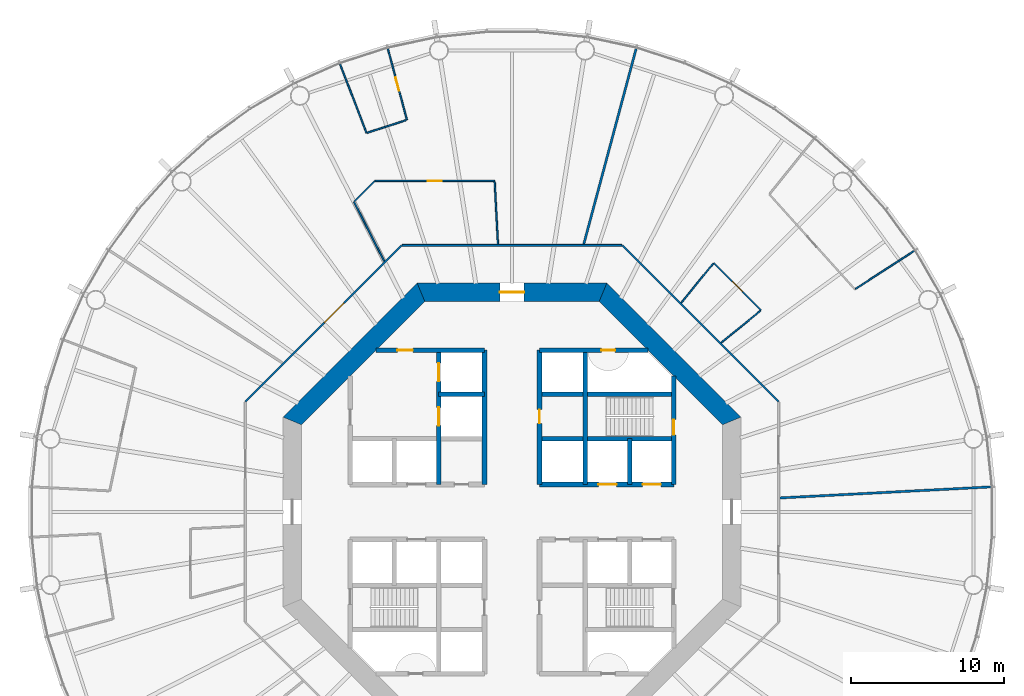
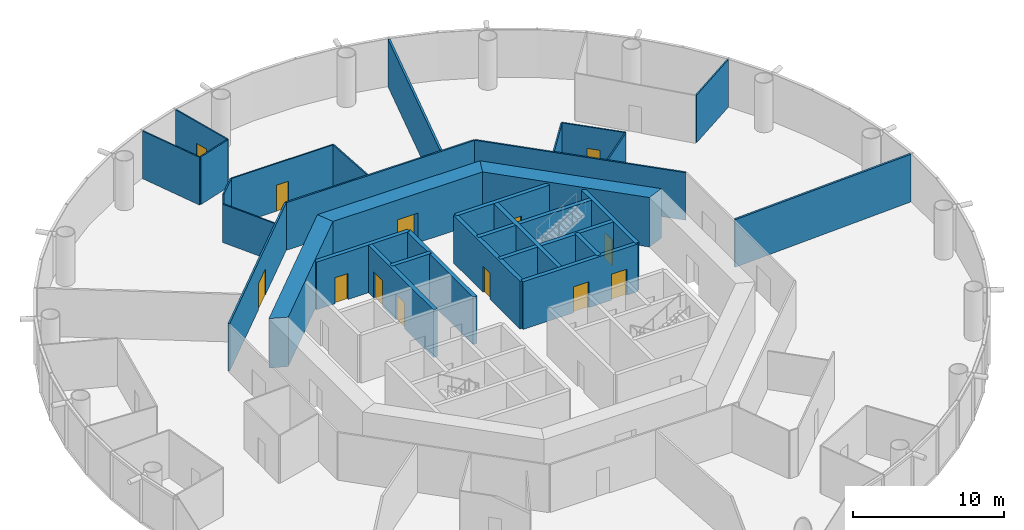
# One storey, part 5 of 13: 31 walls, 13 doors, 13 openings.
"""IFC4 building model written with IfcOpenShell, lengths in metres."""

from ifc_helpers import new_model, si_unit, direction, frame, frame_2d, origin, place, context, subcontext, project, spatial, polyline, rectangle, outline, extrude, material, layer, layer_set, type_object, element, fill, save


model = new_model("IFC4")

# Units and contexts
model_context = context("Model", 3, precision=1e-05, world=origin(), true_north=direction((0.0, 1.0)))
body_context = subcontext(model_context, "Body", "Model", "MODEL_VIEW")
ifc_project = project(units=[si_unit("LENGTHUNIT", "METRE"), si_unit("AREAUNIT", "SQUARE_METRE"), si_unit("VOLUMEUNIT", "CUBIC_METRE"), si_unit("PLANEANGLEUNIT", "RADIAN"), si_unit("MASSUNIT", "GRAM", prefix="KILO")], contexts=[model_context])

# Site, building, storey
site_placement = place(None, origin())
site = spatial("IfcSite", under=ifc_project, at=site_placement, CompositionType="ELEMENT")
building_placement = place(site_placement, origin())
building = spatial("IfcBuilding", under=site, at=building_placement, Name="Entoto Ring Tower", CompositionType="ELEMENT")
storey_placement = place(building_placement, frame((0.0, 0.0, 92.0)))
storey = spatial("IfcBuildingStorey", under=building, at=storey_placement, Name="L20", CompositionType="ELEMENT", Elevation=92.0)

# Wall, opening, door
ifc_material_1 = material(Name="Concrete C40/50", Category="concrete")
ifc_layer_1 = layer(ifc_material_1, 0.300048828125)
ifc_layer_set_1 = layer_set([ifc_layer_1], Name="Concrete C40/50")
wall_type_1 = type_object("IfcWallType", Name="Core enclosure wall 300 mm reinforced concrete", PredefinedType="SOLIDWALL", material=ifc_layer_set_1)
wall_1_placement = place(storey_placement, frame((100.60009765625, 81.800048828125, 0.0), z_axis=(0.0, 0.0, 1.0), x_axis=(0.0, 1.0, 0.0)))
wall_1 = element("IfcWall", 1, at=wall_1_placement, inside=storey, type_object=wall_type_1, Name="wall-L20-002", PredefinedType="SOLIDWALL", context=body_context, shape_type="SweptSolid", body=[
    extrude(rectangle(XDim=7.115966796875, YDim=0.300048828125, at=frame_2d((3.55810546875, 0.0))), origin(), (0.0, 0.0, 1.0), 3.85009765625),
])
opening_1_placement = place(wall_1_placement, frame((3.25, 0.0, 0.0)))
opening_1 = element("IfcOpeningElement", 2, at=opening_1_placement, cuts=wall_1, Name="Opening K-55", PredefinedType="OPENING", context=body_context, shape_type="SweptSolid", body=[
    extrude(rectangle(XDim=1.0, YDim=2.10009765625, at=frame_2d((0.5, 1.050048828125))), frame((0.0, 0.16015625, 0.0), z_axis=(0.0, -1.0, 0.0), x_axis=(1.0, 0.0, 0.0)), (0.0, 0.0, 1.0), 0.320068359375),
])
ifc_material_2 = material(Name="Steel door leaf, fire rated", Category="steel")
ifc_layer_2 = layer(ifc_material_2, 0.050048828125)
ifc_layer_set_2 = layer_set([ifc_layer_2], Name="Steel door leaf, fire rated")
door_type_1 = type_object("IfcDoorType", Name="Fire door FD60 1000 x 2100 single leaf", OperationType="NOTDEFINED", PredefinedType="DOOR", material=ifc_layer_set_2)
door_1_placement = place(opening_1_placement, origin())
door_1 = element("IfcDoor", 3, at=door_1_placement, inside=storey, type_object=door_type_1, Name="Door K-55", OperationType="SINGLE_SWING_LEFT", OverallHeight=2.10009765625, OverallWidth=1.0, PredefinedType="DOOR", context=body_context, shape_type="SweptSolid", body=[
    extrude(rectangle(XDim=1.0, YDim=2.10009765625, at=frame_2d((0.5, 1.050048828125))), frame((0.0, 0.02490234375, 0.0), z_axis=(0.0, -1.0, 0.0), x_axis=(1.0, 0.0, 0.0)), (0.0, 0.0, 1.0), 0.050048828125),
])
fill(opening_1, door_1)

# Walls
wall_2_placement = place(storey_placement, frame((97.699951171875, 81.800048828125, 0.0), z_axis=(0.0, 0.0, 1.0), x_axis=(0.0, 1.0, 0.0)))
element("IfcWall", 4, at=wall_2_placement, inside=storey, type_object=wall_type_1, Name="wall-L20-004", PredefinedType="SOLIDWALL", context=body_context, shape_type="SweptSolid", body=[
    extrude(rectangle(XDim=3.0, YDim=0.300048828125, at=frame_2d((1.5, 0.0))), origin(), (0.0, 0.0, 1.0), 3.85009765625),
])
wall_3_placement = place(storey_placement, frame((94.800048828125, 81.800048828125, 0.0), z_axis=(0.0, 0.0, 1.0), x_axis=(0.0, 1.0, 0.0)))
element("IfcWall", 5, at=wall_3_placement, inside=storey, type_object=wall_type_1, Name="wall-L20-006", PredefinedType="SOLIDWALL", context=body_context, shape_type="SweptSolid", body=[
    extrude(rectangle(XDim=8.800048828125, YDim=0.300048828125, at=frame_2d((4.39990234375, 0.0))), origin(), (0.0, 0.0, 1.0), 3.85009765625),
])

# Wall, opening, door
wall_4_placement = place(storey_placement, frame((91.800048828125, 81.800048828125, 0.0), z_axis=(0.0, 0.0, 1.0), x_axis=(0.0, 1.0, 0.0)))
wall_4 = element("IfcWall", 6, at=wall_4_placement, inside=storey, type_object=wall_type_1, Name="wall-L20-008", PredefinedType="SOLIDWALL", context=body_context, shape_type="SweptSolid", body=[
    extrude(rectangle(XDim=8.800048828125, YDim=0.300048828125, at=frame_2d((4.39990234375, 0.0))), origin(), (0.0, 0.0, 1.0), 3.85009765625),
])
opening_2_placement = place(wall_4_placement, frame((4.0, 0.0, 0.0)))
opening_2 = element("IfcOpeningElement", 7, at=opening_2_placement, cuts=wall_4, Name="Opening K-11", PredefinedType="OPENING", context=body_context, shape_type="SweptSolid", body=[
    extrude(rectangle(XDim=0.89990234375, YDim=2.10009765625, at=frame_2d((0.449951171875, 1.050048828125))), frame((0.0, 0.16015625, 0.0), z_axis=(0.0, -1.0, 0.0), x_axis=(1.0, 0.0, 0.0)), (0.0, 0.0, 1.0), 0.320068359375),
])
ifc_material_3 = material(Name="Steel door leaf, fire rated", Category="steel")
ifc_layer_3 = layer(ifc_material_3, 0.050048828125)
ifc_layer_set_3 = layer_set([ifc_layer_3], Name="Steel door leaf, fire rated")
door_type_2 = type_object("IfcDoorType", Name="Core door 900 x 2100 single leaf", OperationType="NOTDEFINED", PredefinedType="DOOR", material=ifc_layer_set_3)
door_2_placement = place(opening_2_placement, origin())
door_2 = element("IfcDoor", 8, at=door_2_placement, inside=storey, type_object=door_type_2, Name="Door K-11", OperationType="SINGLE_SWING_RIGHT", OverallHeight=2.10009765625, OverallWidth=0.89990234375, PredefinedType="DOOR", context=body_context, shape_type="SweptSolid", body=[
    extrude(rectangle(XDim=0.89990234375, YDim=2.10009765625, at=frame_2d((0.449951171875, 1.050048828125))), frame((0.0, 0.02490234375, 0.0), z_axis=(0.0, -1.0, 0.0), x_axis=(1.0, 0.0, 0.0)), (0.0, 0.0, 1.0), 0.050048828125),
])
fill(opening_2, door_2)

# Wall
wall_5_placement = place(storey_placement, frame((88.199951171875, 81.800048828125, 0.0), z_axis=(0.0, 0.0, 1.0), x_axis=(0.0, 1.0, 0.0)))
element("IfcWall", 9, at=wall_5_placement, inside=storey, type_object=wall_type_1, Name="wall-L20-010", PredefinedType="SOLIDWALL", context=body_context, shape_type="SweptSolid", body=[
    extrude(rectangle(XDim=8.800048828125, YDim=0.300048828125, at=frame_2d((4.39990234375, 0.0))), origin(), (0.0, 0.0, 1.0), 3.85009765625),
])

# Wall, openings, doors
wall_6_placement = place(storey_placement, frame((85.199951171875, 81.800048828125, 0.0), z_axis=(0.0, 0.0, 1.0), x_axis=(0.0, 1.0, 0.0)))
wall_6 = element("IfcWall", 10, at=wall_6_placement, inside=storey, type_object=wall_type_1, Name="wall-L20-012", PredefinedType="SOLIDWALL", context=body_context, shape_type="SweptSolid", body=[
    extrude(rectangle(XDim=8.800048828125, YDim=0.300048828125, at=frame_2d((4.39990234375, 0.0))), origin(), (0.0, 0.0, 1.0), 3.85009765625),
])
opening_3_placement = place(wall_6_placement, frame((3.85009765625, 0.0, 0.0)))
opening_3 = element("IfcOpeningElement", 11, at=opening_3_placement, cuts=wall_6, Name="Opening LD", PredefinedType="OPENING", context=body_context, shape_type="SweptSolid", body=[
    extrude(rectangle(XDim=1.199951171875, YDim=2.10009765625, at=frame_2d((0.60009765625, 1.050048828125))), frame((0.0, 0.16015625, 0.0), z_axis=(0.0, -1.0, 0.0), x_axis=(1.0, 0.0, 0.0)), (0.0, 0.0, 1.0), 0.320068359375),
])
opening_4_placement = place(wall_6_placement, frame((6.75, 0.0, 0.0)))
opening_4 = element("IfcOpeningElement", 12, at=opening_4_placement, cuts=wall_6, Name="Opening LD", PredefinedType="OPENING", context=body_context, shape_type="SweptSolid", body=[
    extrude(rectangle(XDim=1.199951171875, YDim=2.10009765625, at=frame_2d((0.60009765625, 1.050048828125))), frame((0.0, 0.16015625, 0.0), z_axis=(0.0, -1.0, 0.0), x_axis=(1.0, 0.0, 0.0)), (0.0, 0.0, 1.0), 0.320068359375),
])
ifc_material_4 = material(Name="Steel and glass door leaf", Category="steel")
ifc_layer_4 = layer(ifc_material_4, 0.050048828125)
ifc_layer_set_4 = layer_set([ifc_layer_4], Name="Steel and glass door leaf")
door_type_3 = type_object("IfcDoorType", Name="Landing door 1200 x 2100 sliding", OperationType="DOUBLE_DOOR_SLIDING", PredefinedType="DOOR", material=ifc_layer_set_4)
door_3_placement = place(opening_3_placement, origin())
door_3 = element("IfcDoor", 13, at=door_3_placement, inside=storey, type_object=door_type_3, Name="Landing door FF1", OperationType="SLIDING_TO_RIGHT", OverallHeight=2.10009765625, OverallWidth=1.199951171875, PredefinedType="DOOR", context=body_context, shape_type="SweptSolid", body=[
    extrude(rectangle(XDim=1.199951171875, YDim=2.10009765625, at=frame_2d((0.60009765625, 1.050048828125))), frame((0.0, 0.02490234375, 0.0), z_axis=(0.0, -1.0, 0.0), x_axis=(1.0, 0.0, 0.0)), (0.0, 0.0, 1.0), 0.050048828125),
])
fill(opening_3, door_3)
door_4_placement = place(opening_4_placement, origin())
door_4 = element("IfcDoor", 14, at=door_4_placement, inside=storey, type_object=door_type_3, Name="Landing door FF2", OperationType="SLIDING_TO_RIGHT", OverallHeight=2.10009765625, OverallWidth=1.199951171875, PredefinedType="DOOR", context=body_context, shape_type="SweptSolid", body=[
    extrude(rectangle(XDim=1.199951171875, YDim=2.10009765625, at=frame_2d((0.60009765625, 1.050048828125))), frame((0.0, 0.02490234375, 0.0), z_axis=(0.0, -1.0, 0.0), x_axis=(1.0, 0.0, 0.0)), (0.0, 0.0, 1.0), 0.050048828125),
])
fill(opening_4, door_4)

wall_7_placement = place(storey_placement, frame((91.800048828125, 81.800048828125, 0.0), z_axis=(0.0, 0.0, 1.0), x_axis=(1.0, 0.0, 0.0)))
wall_7 = element("IfcWall", 15, at=wall_7_placement, inside=storey, type_object=wall_type_1, Name="wall-L20-026", PredefinedType="SOLIDWALL", context=body_context, shape_type="SweptSolid", body=[
    extrude(rectangle(XDim=8.800048828125, YDim=0.300048828125, at=frame_2d((4.39990234375, 0.0))), origin(), (0.0, 0.0, 1.0), 3.85009765625),
])
opening_5_placement = place(wall_7_placement, frame((3.85009765625, 0.0, 0.0)))
opening_5 = element("IfcOpeningElement", 16, at=opening_5_placement, cuts=wall_7, Name="Opening LD", PredefinedType="OPENING", context=body_context, shape_type="SweptSolid", body=[
    extrude(rectangle(XDim=1.199951171875, YDim=2.10009765625, at=frame_2d((0.60009765625, 1.050048828125))), frame((0.0, 0.16015625, 0.0), z_axis=(0.0, -1.0, 0.0), x_axis=(1.0, 0.0, 0.0)), (0.0, 0.0, 1.0), 0.320068359375),
])
opening_6_placement = place(wall_7_placement, frame((6.75, 0.0, 0.0)))
opening_6 = element("IfcOpeningElement", 17, at=opening_6_placement, cuts=wall_7, Name="Opening LD", PredefinedType="OPENING", context=body_context, shape_type="SweptSolid", body=[
    extrude(rectangle(XDim=1.199951171875, YDim=2.10009765625, at=frame_2d((0.60009765625, 1.050048828125))), frame((0.0, 0.16015625, 0.0), z_axis=(0.0, -1.0, 0.0), x_axis=(1.0, 0.0, 0.0)), (0.0, 0.0, 1.0), 0.320068359375),
])
door_5_placement = place(opening_5_placement, origin())
door_5 = element("IfcDoor", 18, at=door_5_placement, inside=storey, type_object=door_type_3, Name="Landing door LB1-LR", OperationType="SLIDING_TO_RIGHT", OverallHeight=2.10009765625, OverallWidth=1.199951171875, PredefinedType="DOOR", context=body_context, shape_type="SweptSolid", body=[
    extrude(rectangle(XDim=1.199951171875, YDim=2.10009765625, at=frame_2d((0.60009765625, 1.050048828125))), frame((0.0, 0.02490234375, 0.0), z_axis=(0.0, -1.0, 0.0), x_axis=(1.0, 0.0, 0.0)), (0.0, 0.0, 1.0), 0.050048828125),
])
fill(opening_5, door_5)
door_6_placement = place(opening_6_placement, origin())
door_6 = element("IfcDoor", 19, at=door_6_placement, inside=storey, type_object=door_type_3, Name="Landing door LB2-LR", OperationType="SLIDING_TO_RIGHT", OverallHeight=2.10009765625, OverallWidth=1.199951171875, PredefinedType="DOOR", context=body_context, shape_type="SweptSolid", body=[
    extrude(rectangle(XDim=1.199951171875, YDim=2.10009765625, at=frame_2d((0.60009765625, 1.050048828125))), frame((0.0, 0.02490234375, 0.0), z_axis=(0.0, -1.0, 0.0), x_axis=(1.0, 0.0, 0.0)), (0.0, 0.0, 1.0), 0.050048828125),
])
fill(opening_6, door_6)

# Walls
wall_8_placement = place(storey_placement, frame((91.800048828125, 84.800048828125, 0.0), z_axis=(0.0, 0.0, 1.0), x_axis=(1.0, 0.0, 0.0)))
element("IfcWall", 20, at=wall_8_placement, inside=storey, type_object=wall_type_1, Name="wall-L20-028", PredefinedType="SOLIDWALL", context=body_context, shape_type="SweptSolid", body=[
    extrude(rectangle(XDim=8.800048828125, YDim=0.300048828125, at=frame_2d((4.39990234375, 0.0))), origin(), (0.0, 0.0, 1.0), 3.85009765625),
])
wall_9_placement = place(storey_placement, frame((85.199951171875, 87.699951171875, 0.0), z_axis=(0.0, 0.0, 1.0), x_axis=(1.0, 0.0, 0.0)))
element("IfcWall", 21, at=wall_9_placement, inside=storey, type_object=wall_type_1, Name="wall-L20-029", PredefinedType="SOLIDWALL", context=body_context, shape_type="SweptSolid", body=[
    extrude(rectangle(XDim=3.0, YDim=0.300048828125, at=frame_2d((1.5, 0.0))), origin(), (0.0, 0.0, 1.0), 3.85009765625),
])
wall_10_placement = place(storey_placement, frame((91.800048828125, 87.699951171875, 0.0), z_axis=(0.0, 0.0, 1.0), x_axis=(1.0, 0.0, 0.0)))
element("IfcWall", 22, at=wall_10_placement, inside=storey, type_object=wall_type_1, Name="wall-L20-030", PredefinedType="SOLIDWALL", context=body_context, shape_type="SweptSolid", body=[
    extrude(rectangle(XDim=8.800048828125, YDim=0.300048828125, at=frame_2d((4.39990234375, 0.0))), origin(), (0.0, 0.0, 1.0), 3.85009765625),
])

# Wall, opening, door
wall_11_placement = place(storey_placement, frame((81.083984375, 90.60009765625, 0.0), z_axis=(0.0, 0.0, 1.0), x_axis=(1.0, 0.0, 0.0)))
wall_11 = element("IfcWall", 23, at=wall_11_placement, inside=storey, type_object=wall_type_1, Name="wall-L20-031", PredefinedType="SOLIDWALL", context=body_context, shape_type="SweptSolid", body=[
    extrude(rectangle(XDim=7.115966796875, YDim=0.300048828125, at=frame_2d((3.55810546875, 0.0))), origin(), (0.0, 0.0, 1.0), 3.85009765625),
])
opening_7_placement = place(wall_11_placement, frame((1.416015625, 0.0, 0.0)))
opening_7 = element("IfcOpeningElement", 24, at=opening_7_placement, cuts=wall_11, Name="Opening K-23", PredefinedType="OPENING", context=body_context, shape_type="SweptSolid", body=[
    extrude(rectangle(XDim=1.0, YDim=2.10009765625, at=frame_2d((0.5, 1.050048828125))), frame((0.0, 0.16015625, 0.0), z_axis=(0.0, -1.0, 0.0), x_axis=(1.0, 0.0, 0.0)), (0.0, 0.0, 1.0), 0.320068359375),
])
door_7_placement = place(opening_7_placement, frame((1.0, 0.0, 0.0), z_axis=(0.0, 0.0, 1.0), x_axis=(-1.0, 0.0, 0.0)))
door_7 = element("IfcDoor", 25, at=door_7_placement, inside=storey, type_object=door_type_1, Name="Door K-23", OperationType="SINGLE_SWING_RIGHT", OverallHeight=2.10009765625, OverallWidth=1.0, PredefinedType="DOOR", context=body_context, shape_type="SweptSolid", body=[
    extrude(rectangle(XDim=1.0, YDim=2.10009765625, at=frame_2d((0.5, 1.050048828125))), frame((0.0, 0.02490234375, 0.0), z_axis=(0.0, -1.0, 0.0), x_axis=(1.0, 0.0, 0.0)), (0.0, 0.0, 1.0), 0.050048828125),
])
fill(opening_7, door_7)

wall_12_placement = place(storey_placement, frame((91.800048828125, 90.60009765625, 0.0), z_axis=(0.0, 0.0, 1.0), x_axis=(1.0, 0.0, 0.0)))
wall_12 = element("IfcWall", 26, at=wall_12_placement, inside=storey, type_object=wall_type_1, Name="wall-L20-032", PredefinedType="SOLIDWALL", context=body_context, shape_type="SweptSolid", body=[
    extrude(rectangle(XDim=7.115966796875, YDim=0.300048828125, at=frame_2d((3.55810546875, 0.0))), origin(), (0.0, 0.0, 1.0), 3.85009765625),
])
opening_8_placement = place(wall_12_placement, frame((4.050048828125, 0.0, 0.0)))
opening_8 = element("IfcOpeningElement", 27, at=opening_8_placement, cuts=wall_12, Name="Opening K-62", PredefinedType="OPENING", context=body_context, shape_type="SweptSolid", body=[
    extrude(rectangle(XDim=0.89990234375, YDim=2.10009765625, at=frame_2d((0.449951171875, 1.050048828125))), frame((0.0, 0.16015625, 0.0), z_axis=(0.0, -1.0, 0.0), x_axis=(1.0, 0.0, 0.0)), (0.0, 0.0, 1.0), 0.320068359375),
])
ifc_material_5 = material(Name="Steel door leaf, fire rated", Category="steel")
ifc_layer_5 = layer(ifc_material_5, 0.050048828125)
ifc_layer_set_5 = layer_set([ifc_layer_5], Name="Steel door leaf, fire rated")
door_type_4 = type_object("IfcDoorType", Name="Riser door FD60 900 x 2100 single leaf", OperationType="NOTDEFINED", PredefinedType="DOOR", material=ifc_layer_set_5)
door_8_placement = place(opening_8_placement, frame((0.89990234375, 0.0, 0.0), z_axis=(0.0, 0.0, 1.0), x_axis=(-1.0, 0.0, 0.0)))
door_8 = element("IfcDoor", 28, at=door_8_placement, inside=storey, type_object=door_type_4, Name="Door K-62", OperationType="SINGLE_SWING_LEFT", OverallHeight=2.10009765625, OverallWidth=0.89990234375, PredefinedType="DOOR", context=body_context, shape_type="SweptSolid", body=[
    extrude(rectangle(XDim=0.89990234375, YDim=2.10009765625, at=frame_2d((0.449951171875, 1.050048828125))), frame((0.0, 0.02490234375, 0.0), z_axis=(0.0, -1.0, 0.0), x_axis=(1.0, 0.0, 0.0)), (0.0, 0.0, 1.0), 0.050048828125),
])
fill(opening_8, door_8)

# Wall
ifc_material_6 = material(Name="Concrete C60/75", Category="concrete")
ifc_layer_6 = layer(ifc_material_6, 1.199951171875)
ifc_layer_set_6 = layer_set([ifc_layer_6], Name="Concrete C60/75")
wall_type_2 = type_object("IfcWallType", Name="Core shear wall 1200 mm reinforced concrete C60/75", PredefinedType="SHEAR", material=ifc_layer_set_6)
wall_13_placement = place(storey_placement, frame((104.39990234375, 85.964599609375, 0.0), z_axis=(0.0, 0.0, 1.0), x_axis=(-0.707106781187, 0.707106781187, 0.0)))
element("IfcWall", 29, at=wall_13_placement, inside=storey, type_object=wall_type_2, Name="wall-L20-core-1", PredefinedType="SHEAR", context=body_context, shape_type="SweptSolid", body=[
    extrude(outline(polyline([(-0.24853515625, -0.60009765625), (12.177734375, -0.60009765625), (11.6806640625, 0.60009765625), (0.24853515625, 0.60009765625), (-0.24853515625, -0.60009765625)])), origin(), (0.0, 0.0, 1.0), 4.0),
])

# Wall, opening, door
wall_14_placement = place(storey_placement, frame((95.964599609375, 94.39990234375, 0.0), z_axis=(0.0, 0.0, 1.0), x_axis=(-1.0, 0.0, 0.0)))
wall_14 = element("IfcWall", 30, at=wall_14_placement, inside=storey, type_object=wall_type_2, Name="wall-L20-core-2", PredefinedType="SHEAR", context=body_context, shape_type="SweptSolid", body=[
    extrude(outline(polyline([(-0.24853515625, -0.60009765625), (12.177734375, -0.60009765625), (11.6806640625, 0.60009765625), (0.24853515625, 0.60009765625), (-0.24853515625, -0.60009765625)])), origin(), (0.0, 0.0, 1.0), 4.0),
])
opening_9_placement = place(wall_14_placement, frame((5.164794921875, 0.0, 0.0)))
opening_9 = element("IfcOpeningElement", 31, at=opening_9_placement, cuts=wall_14, Name="Opening K-02", PredefinedType="OPENING", context=body_context, shape_type="SweptSolid", body=[
    extrude(rectangle(XDim=1.60009765625, YDim=2.39990234375, at=frame_2d((0.800048828125, 1.199951171875))), frame((0.0, 0.60986328125, 0.0), z_axis=(0.0, -1.0, 0.0), x_axis=(1.0, 0.0, 0.0)), (0.0, 0.0, 1.0), 1.219970703125),
])
ifc_material_7 = material(Name="Steel door leaf, fire rated", Category="steel")
ifc_layer_7 = layer(ifc_material_7, 0.050048828125)
ifc_layer_set_7 = layer_set([ifc_layer_7], Name="Steel door leaf, fire rated")
door_type_5 = type_object("IfcDoorType", Name="Entrance door FD60 1600 x 2400 double leaf", OperationType="DOUBLE_DOOR_SINGLE_SWING", PredefinedType="DOOR", material=ifc_layer_set_7)
door_9_placement = place(opening_9_placement, origin())
door_9 = element("IfcDoor", 32, at=door_9_placement, inside=storey, type_object=door_type_5, Name="Entrance door K-02", OperationType="DOUBLE_DOOR_SINGLE_SWING", OverallHeight=2.39990234375, OverallWidth=1.60009765625, PredefinedType="DOOR", context=body_context, shape_type="SweptSolid", body=[
    extrude(rectangle(XDim=1.60009765625, YDim=2.39990234375, at=frame_2d((0.800048828125, 1.199951171875))), frame((0.0, 0.02490234375, 0.0), z_axis=(0.0, -1.0, 0.0), x_axis=(1.0, 0.0, 0.0)), (0.0, 0.0, 1.0), 0.050048828125),
])
fill(opening_9, door_9)

# Wall
wall_15_placement = place(storey_placement, frame((84.035400390625, 94.39990234375, 0.0), z_axis=(0.0, 0.0, 1.0), x_axis=(-0.707106781187, -0.707106781187, 0.0)))
element("IfcWall", 33, at=wall_15_placement, inside=storey, type_object=wall_type_2, Name="wall-L20-core-3", PredefinedType="SHEAR", context=body_context, shape_type="SweptSolid", body=[
    extrude(outline(polyline([(-0.24853515625, -0.60009765625), (12.177734375, -0.60009765625), (11.6806640625, 0.60009765625), (0.24853515625, 0.60009765625), (-0.24853515625, -0.60009765625)])), origin(), (0.0, 0.0, 1.0), 4.0),
])

# Wall, opening, door
ifc_material_8 = material(Name="Fire-resisting plasterboard on steel studs", Category="steel")
ifc_layer_8 = layer(ifc_material_8, 0.125)
ifc_layer_set_8 = layer_set([ifc_layer_8], Name="Fire-resisting plasterboard on steel studs")
wall_type_3 = type_object("IfcWallType", Name="Corridor wall 125 mm one-hour plasterboard on steel studs", PredefinedType="PARTITIONING", material=ifc_layer_set_8)
wall_16_placement = place(storey_placement, frame((72.53759765625, 87.233154296875, 0.0), z_axis=(0.0, 0.0, 1.0), x_axis=(0.707106781187, 0.707106781187, 0.0)))
wall_16 = element("IfcWall", 34, at=wall_16_placement, inside=storey, type_object=wall_type_3, Name="partition-L20-001", PredefinedType="PARTITIONING", context=body_context, shape_type="SweptSolid", body=[
    extrude(rectangle(XDim=14.46630859375, YDim=0.125, at=frame_2d((7.233154296875, 0.0))), origin(), (0.0, 0.0, 1.0), 3.85009765625),
])
opening_10_placement = place(wall_16_placement, frame((7.314208984375, 0.0, 0.0)))
opening_10 = element("IfcOpeningElement", 35, at=opening_10_placement, cuts=wall_16, Name="Opening A09-D07", PredefinedType="OPENING", context=body_context, shape_type="SweptSolid", body=[
    extrude(rectangle(XDim=1.800048828125, YDim=2.10009765625, at=frame_2d((0.89990234375, 1.050048828125))), frame((0.0, 0.072509765625, 0.0), z_axis=(0.0, -1.0, 0.0), x_axis=(1.0, 0.0, 0.0)), (0.0, 0.0, 1.0), 0.14501953125),
])
ifc_material_9 = material(Name="Fire-resisting timber door set", Category="wood")
door_type_6 = type_object("IfcDoorType", Name="Door 1800 x 2100 double leaf FD30S fire door", OperationType="DOUBLE_DOOR_SINGLE_SWING", PredefinedType="DOOR", material=ifc_material_9)
door_10_placement = place(opening_10_placement, origin())
door_10 = element("IfcDoor", 36, at=door_10_placement, inside=storey, type_object=door_type_6, Name="Door A09-D07", OperationType="DOUBLE_DOOR_SINGLE_SWING", OverallHeight=2.10009765625, OverallWidth=1.800048828125, PredefinedType="DOOR", context=body_context, shape_type="SweptSolid", body=[
    extrude(rectangle(XDim=1.800048828125, YDim=2.10009765625, at=frame_2d((0.89990234375, 1.050048828125))), frame((0.0, 0.02490234375, 0.0), z_axis=(0.0, -1.0, 0.0), x_axis=(1.0, 0.0, 0.0)), (0.0, 0.0, 1.0), 0.050048828125),
])
fill(opening_10, door_10)

# Walls
wall_17_placement = place(storey_placement, frame((107.46240234375, 87.233154296875, 0.0), z_axis=(0.0, 0.0, 1.0), x_axis=(-0.707106781187, 0.707106781187, 0.0)))
element("IfcWall", 37, at=wall_17_placement, inside=storey, type_object=wall_type_3, Name="partition-L20-004", PredefinedType="PARTITIONING", context=body_context, shape_type="SweptSolid", body=[
    extrude(rectangle(XDim=14.46630859375, YDim=0.125, at=frame_2d((7.233154296875, 0.0))), origin(), (0.0, 0.0, 1.0), 3.85009765625),
])
wall_18_placement = place(storey_placement, frame((82.810791015625, 97.46240234375, 0.0), z_axis=(0.0, 0.0, 1.0), x_axis=(1.0, 0.0, 0.0)))
element("IfcWall", 38, at=wall_18_placement, inside=storey, type_object=wall_type_3, Name="partition-L20-007", PredefinedType="PARTITIONING", context=body_context, shape_type="SweptSolid", body=[
    extrude(rectangle(XDim=14.37841796875, YDim=0.125, at=frame_2d((7.189208984375, 0.0))), origin(), (0.0, 0.0, 1.0), 3.85009765625),
])

# Wall, opening, door
ifc_material_10 = material(Name="Plasterboard on steel studs", Category="steel")
ifc_layer_9 = layer(ifc_material_10, 0.10009765625)
ifc_layer_set_9 = layer_set([ifc_layer_9], Name="Plasterboard on steel studs")
wall_type_4 = type_object("IfcWallType", Name="Partition 100 mm plasterboard on steel studs", PredefinedType="PARTITIONING", material=ifc_layer_set_9)
wall_19_placement = place(storey_placement, frame((81.018798828125, 101.6826171875, 0.0), z_axis=(0.0, 0.0, 1.0), x_axis=(1.0, 0.0, 0.0)))
wall_19 = element("IfcWall", 39, at=wall_19_placement, inside=storey, type_object=wall_type_4, Name="partition-L20-017", PredefinedType="PARTITIONING", context=body_context, shape_type="SweptSolid", body=[
    extrude(rectangle(XDim=7.844970703125, YDim=0.10009765625, at=frame_2d((3.92236328125, 0.0))), origin(), (0.0, 0.0, 1.0), 3.85009765625),
])
opening_11_placement = place(wall_19_placement, frame((3.472412109375, 0.0, 0.0)))
opening_11 = element("IfcOpeningElement", 40, at=opening_11_placement, cuts=wall_19, Name="Opening A09-D08", PredefinedType="OPENING", context=body_context, shape_type="SweptSolid", body=[
    extrude(rectangle(XDim=0.89990234375, YDim=2.10009765625, at=frame_2d((0.449951171875, 1.050048828125))), frame((0.0, 0.06005859375, 0.0), z_axis=(0.0, -1.0, 0.0), x_axis=(1.0, 0.0, 0.0)), (0.0, 0.0, 1.0), 0.1201171875),
])
ifc_material_11 = material(Name="Veneered timber door leaf in timber frame", Category="wood")
door_type_7 = type_object("IfcDoorType", Name="Door 900 x 2100 single leaf timber veneer", OperationType="NOTDEFINED", PredefinedType="DOOR", material=ifc_material_11)
door_11_placement = place(opening_11_placement, frame((0.89990234375, 0.0, 0.0), z_axis=(0.0, 0.0, 1.0), x_axis=(-1.0, 0.0, 0.0)))
door_11 = element("IfcDoor", 41, at=door_11_placement, inside=storey, type_object=door_type_7, Name="Door A09-D08", OperationType="SINGLE_SWING_LEFT", OverallHeight=2.10009765625, OverallWidth=0.89990234375, PredefinedType="DOOR", context=body_context, shape_type="SweptSolid", body=[
    extrude(rectangle(XDim=0.89990234375, YDim=2.10009765625, at=frame_2d((0.449951171875, 1.050048828125))), frame((0.0, 0.02490234375, 0.0), z_axis=(0.0, -1.0, 0.0), x_axis=(1.0, 0.0, 0.0)), (0.0, 0.0, 1.0), 0.050048828125),
])
fill(opening_11, door_11)

wall_20_placement = place(storey_placement, frame((83.117919921875, 105.68408203125, 0.0), z_axis=(0.0, 0.0, 1.0), x_axis=(-0.258799830155, 0.965930974714, 0.0)))
wall_20 = element("IfcWall", 42, at=wall_20_placement, inside=storey, type_object=wall_type_4, Name="partition-L20-025", PredefinedType="PARTITIONING", context=body_context, shape_type="SweptSolid", body=[
    extrude(rectangle(XDim=4.849853515625, YDim=0.10009765625, at=frame_2d((2.4248046875, 0.0))), origin(), (0.0, 0.0, 1.0), 3.85009765625),
])
opening_12_placement = place(wall_20_placement, frame((1.97509765625, 0.0, 0.0)))
opening_12 = element("IfcOpeningElement", 43, at=opening_12_placement, cuts=wall_20, Name="Opening A09-D09", PredefinedType="OPENING", context=body_context, shape_type="SweptSolid", body=[
    extrude(rectangle(XDim=0.89990234375, YDim=2.10009765625, at=frame_2d((0.449951171875, 1.050048828125))), frame((0.0, 0.06005859375, 0.0), z_axis=(0.0, -1.0, 0.0), x_axis=(1.0, 0.0, 0.0)), (0.0, 0.0, 1.0), 0.1201171875),
])
door_12_placement = place(opening_12_placement, origin())
door_12 = element("IfcDoor", 44, at=door_12_placement, inside=storey, type_object=door_type_7, Name="Door A09-D09", OperationType="SINGLE_SWING_RIGHT", OverallHeight=2.10009765625, OverallWidth=0.89990234375, PredefinedType="DOOR", context=body_context, shape_type="SweptSolid", body=[
    extrude(rectangle(XDim=0.89990234375, YDim=2.10009765625, at=frame_2d((0.449951171875, 1.050048828125))), frame((0.0, 0.02490234375, 0.0), z_axis=(0.0, -1.0, 0.0), x_axis=(1.0, 0.0, 0.0)), (0.0, 0.0, 1.0), 0.050048828125),
])
fill(opening_12, door_12)

# Walls
wall_21_placement = place(storey_placement, frame((80.470947265625, 104.823974609375, 0.0), z_axis=(0.0, 0.0, 1.0), x_axis=(-0.35836170217, 0.933582824616, 0.0)))
element("IfcWall", 45, at=wall_21_placement, inside=storey, type_object=wall_type_4, Name="partition-L20-026", PredefinedType="PARTITIONING", context=body_context, shape_type="SweptSolid", body=[
    extrude(rectangle(XDim=4.849853515625, YDim=0.10009765625, at=frame_2d((2.4248046875, 0.0))), origin(), (0.0, 0.0, 1.0), 3.85009765625),
])
wall_22_placement = place(storey_placement, frame((112.5009765625, 94.6123046875, 0.0), z_axis=(0.0, 0.0, 1.0), x_axis=(0.838669766631, 0.544640268929, 0.0)))
element("IfcWall", 46, at=wall_22_placement, inside=storey, type_object=wall_type_4, Name="partition-L20-029", PredefinedType="PARTITIONING", context=body_context, shape_type="SweptSolid", body=[
    extrude(rectangle(XDim=4.61083984375, YDim=0.10009765625, at=frame_2d((2.305419921875, 0.0))), origin(), (0.0, 0.0, 1.0), 3.85009765625),
])

# Wall, opening, door
wall_23_placement = place(storey_placement, frame((106.318115234375, 93.214111328125, 0.0), z_axis=(0.0, 0.0, 1.0), x_axis=(-0.707106781187, 0.707106781187, 0.0)))
wall_23 = element("IfcWall", 47, at=wall_23_placement, inside=storey, type_object=wall_type_4, Name="partition-L20-039", PredefinedType="PARTITIONING", context=body_context, shape_type="SweptSolid", body=[
    extrude(rectangle(XDim=4.3896484375, YDim=0.10009765625, at=frame_2d((2.19482421875, 0.0))), origin(), (0.0, 0.0, 1.0), 3.85009765625),
])
opening_13_placement = place(wall_23_placement, frame((1.744873046875, 0.0, 0.0)))
opening_13 = element("IfcOpeningElement", 48, at=opening_13_placement, cuts=wall_23, Name="Opening A09-D05", PredefinedType="OPENING", context=body_context, shape_type="SweptSolid", body=[
    extrude(rectangle(XDim=0.89990234375, YDim=2.10009765625, at=frame_2d((0.449951171875, 1.050048828125))), frame((0.0, 0.06005859375, 0.0), z_axis=(0.0, -1.0, 0.0), x_axis=(1.0, 0.0, 0.0)), (0.0, 0.0, 1.0), 0.1201171875),
])
door_13_placement = place(opening_13_placement, origin())
door_13 = element("IfcDoor", 49, at=door_13_placement, inside=storey, type_object=door_type_7, Name="Door A09-D05", OperationType="SINGLE_SWING_RIGHT", OverallHeight=2.10009765625, OverallWidth=0.89990234375, PredefinedType="DOOR", context=body_context, shape_type="SweptSolid", body=[
    extrude(rectangle(XDim=0.89990234375, YDim=2.10009765625, at=frame_2d((0.449951171875, 1.050048828125))), frame((0.0, 0.02490234375, 0.0), z_axis=(0.0, -1.0, 0.0), x_axis=(1.0, 0.0, 0.0)), (0.0, 0.0, 1.0), 0.050048828125),
])
fill(opening_13, door_13)

# Walls
wall_24_placement = place(storey_placement, frame((89.081298828125, 97.527587890625, 0.0), z_axis=(0.0, 0.0, 1.0), x_axis=(-0.052325034159, 0.998630107097, 0.0)))
element("IfcWall", 50, at=wall_24_placement, inside=storey, type_object=wall_type_4, Name="partition-L20-040", PredefinedType="PARTITIONING", context=body_context, shape_type="SweptSolid", body=[
    extrude(rectangle(XDim=4.110595703125, YDim=0.10009765625, at=frame_2d((2.05517578125, 0.0))), origin(), (0.0, 0.0, 1.0), 3.85009765625),
])
for number, where, z_axis, x_axis, name in (
    (51, (101.093017578125, 93.698486328125, 0.0), (0.0, 0.0, 1.0), (0.629291439801, 0.777169404823, 0.0), "partition-L20-043"),
    (52, (103.698486328125, 91.093017578125, 0.0), (0.0, 0.0, 1.0), (0.777169404823, 0.629291439801, 0.0), "partition-L20-044"),
):
    element("IfcWall", number, at=place(storey_placement, frame(where, z_axis=z_axis, x_axis=x_axis)), inside=storey, type_object=wall_type_4, Name=name, PredefinedType="PARTITIONING", context=body_context, shape_type="SweptSolid", body=[
        extrude(rectangle(XDim=3.315185546875, YDim=0.10009765625, at=frame_2d((1.65771484375, 0.0))), origin(), (0.0, 0.0, 1.0), 3.85009765625),
    ])
wall_25_placement = place(storey_placement, frame((80.5185546875, 104.83935546875, 0.0), z_axis=(0.0, 0.0, 1.0), x_axis=(0.951066826239, 0.30898526183, 0.0)))
element("IfcWall", 53, at=wall_25_placement, inside=storey, type_object=wall_type_4, Name="partition-L20-046", PredefinedType="PARTITIONING", context=body_context, shape_type="SweptSolid", body=[
    extrude(rectangle(XDim=2.683349609375, YDim=0.10009765625, at=frame_2d((1.341796875, 0.0))), origin(), (0.0, 0.0, 1.0), 3.85009765625),
])
wall_26_placement = place(storey_placement, frame((79.683349609375, 100.346923828125, 0.0), z_axis=(0.0, 0.0, 1.0), x_axis=(0.707040921104, 0.707172635135, 0.0)))
element("IfcWall", 54, at=wall_26_placement, inside=storey, type_object=wall_type_4, Name="partition-L20-047", PredefinedType="PARTITIONING", context=body_context, shape_type="SweptSolid", body=[
    extrude(rectangle(XDim=1.853515625, YDim=0.10009765625, at=frame_2d((0.9267578125, 0.0))), origin(), (0.0, 0.0, 1.0), 3.85009765625),
])
ifc_material_12 = material(Name="Plasterboard on steel studs", Category="steel")
ifc_layer_10 = layer(ifc_material_12, 0.10009765625)
ifc_layer_set_10 = layer_set([ifc_layer_10], Name="Plasterboard on steel studs")
wall_type_5 = type_object("IfcWallType", Name="Partition 100 mm plasterboard on steel studs, 3097 mm high", PredefinedType="PARTITIONING", material=ifc_layer_set_10)
wall_27_placement = place(storey_placement, frame((81.627197265625, 96.432861328125, 0.0), z_axis=(0.0, 0.0, 1.0), x_axis=(-0.453994637558, 0.891004415852, 0.0)))
element("IfcWall", 55, at=wall_27_placement, inside=storey, type_object=wall_type_5, Name="partition-L20-036", PredefinedType="PARTITIONING", context=body_context, shape_type="SweptSolid", body=[
    extrude(rectangle(XDim=4.355224609375, YDim=0.10009765625, at=frame_2d((2.177734375, 0.0))), origin(), (0.0, 0.0, 1.0), 3.096923828125),
])
ifc_material_13 = material(Name="Fire-resisting acoustic plasterboard on steel studs", Category="steel")
ifc_layer_11 = layer(ifc_material_13, 0.14990234375)
ifc_layer_set_11 = layer_set([ifc_layer_11], Name="Fire-resisting acoustic plasterboard on steel studs")
wall_type_6 = type_object("IfcWallType", Name="Party wall 150 mm one-hour acoustic plasterboard on steel studs", PredefinedType="PARTITIONING", material=ifc_layer_set_11)
wall_28_placement = place(storey_placement, frame((107.52880859375, 80.918701171875, 0.0), z_axis=(0.0, 0.0, 1.0), x_axis=(0.998629508563, 0.052336456006, 0.0)))
element("IfcWall", 56, at=wall_28_placement, inside=storey, type_object=wall_type_6, Name="partition-L20-010", PredefinedType="PARTITIONING", context=body_context, shape_type="SweptSolid", body=[
    extrude(rectangle(XDim=13.88720703125, YDim=0.14990234375, at=frame_2d((6.943603515625, 0.0))), origin(), (0.0, 0.0, 1.0), 3.85009765625),
])
wall_29_placement = place(storey_placement, frame((94.700927734375, 97.544189453125, 0.0), z_axis=(0.0, 0.0, 1.0), x_axis=(0.258817275751, 0.965926300384, 0.0)))
element("IfcWall", 57, at=wall_29_placement, inside=storey, type_object=wall_type_6, Name="partition-L20-013", PredefinedType="PARTITIONING", context=body_context, shape_type="SweptSolid", body=[
    extrude(rectangle(XDim=13.27685546875, YDim=0.14990234375, at=frame_2d((6.638427734375, 0.0))), origin(), (0.0, 0.0, 1.0), 3.85009765625),
])

save(model, "model.ifc")
